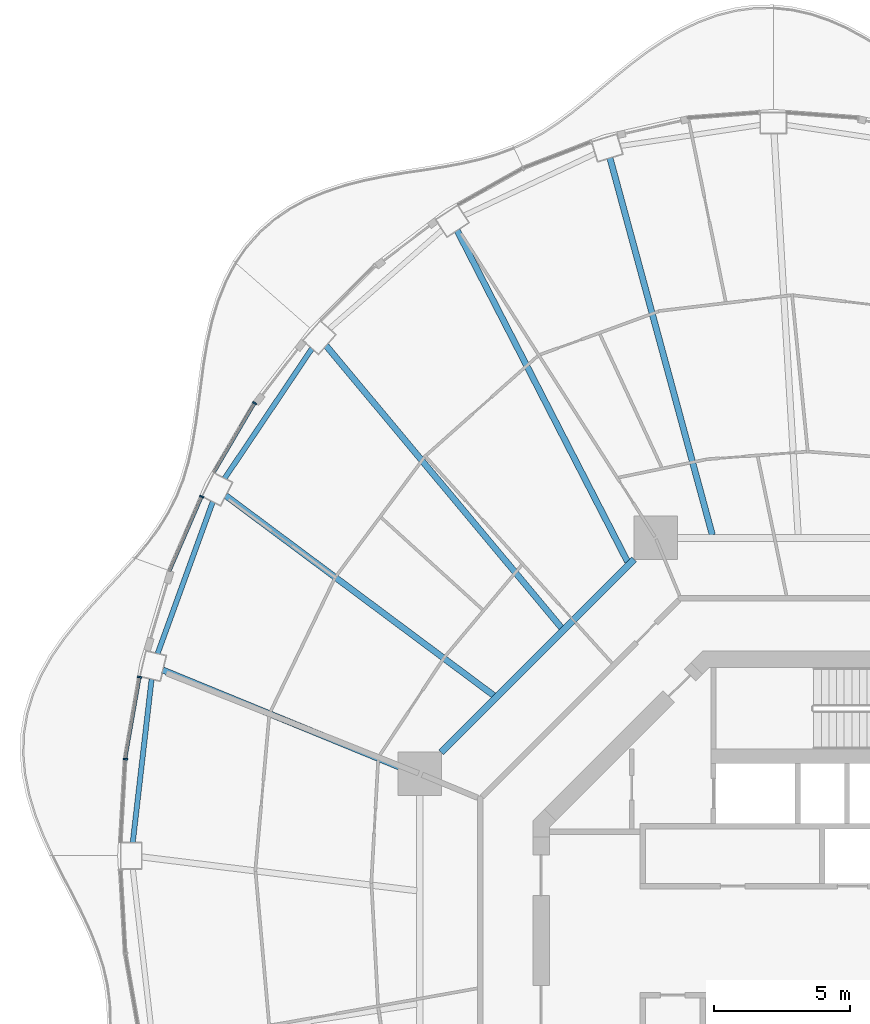
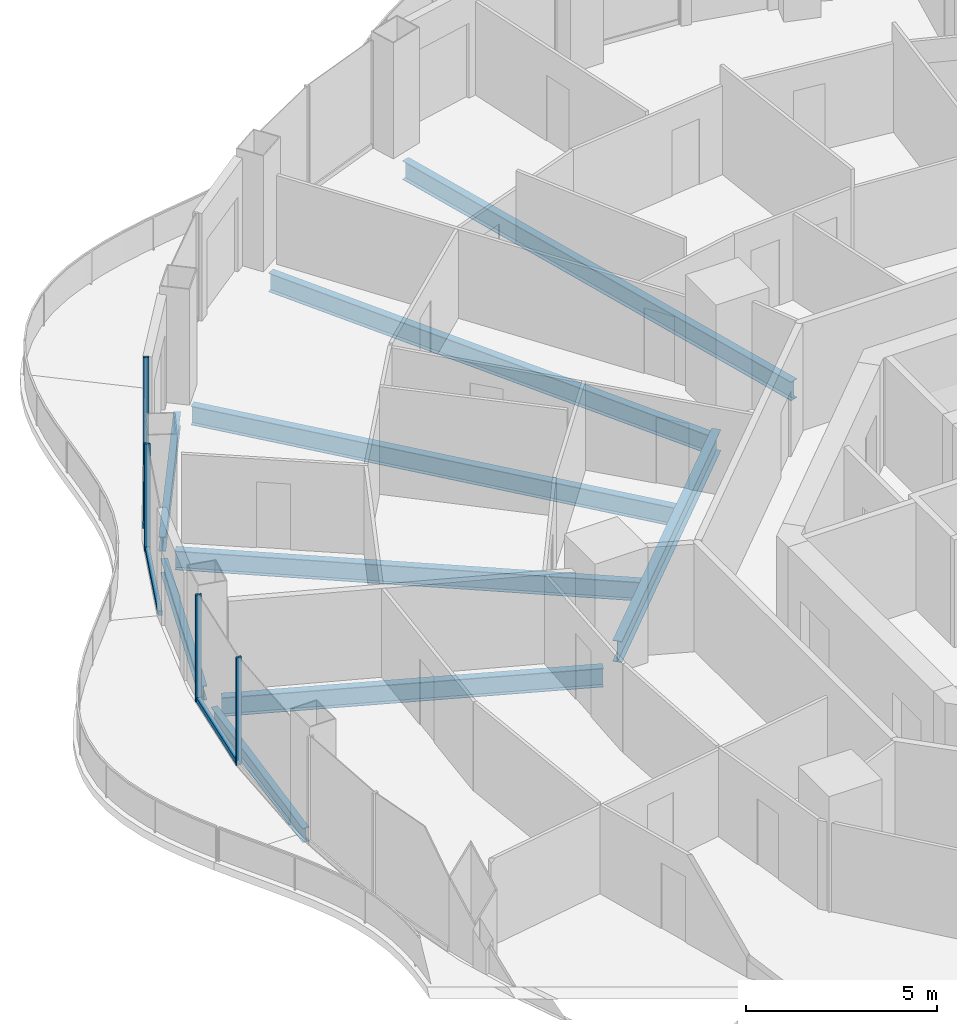
# One storey, part 5 of 18: 9 beams, 7 members, 4 elements without a shape of their own.
"""IFC4 building model written with IfcOpenShell, lengths in metres."""

from ifc_helpers import new_model, si_unit, direction, frame, origin, origin_2d, place, context, subcontext, project, spatial, rectangle, i_section, extrude, material, layer, layer_set, material_profile, profile_set, type_object, element, aggregate, save


model = new_model("IFC4")

# Units and contexts
model_context = context("Model", 3, precision=1e-05, world=origin(), true_north=direction((0.0, 1.0)))
body_context = subcontext(model_context, "Body", "Model", "MODEL_VIEW")
ifc_project = project(units=[si_unit("LENGTHUNIT", "METRE"), si_unit("AREAUNIT", "SQUARE_METRE"), si_unit("VOLUMEUNIT", "CUBIC_METRE"), si_unit("PLANEANGLEUNIT", "RADIAN"), si_unit("MASSUNIT", "GRAM", prefix="KILO")], contexts=[model_context])

# Site, building, storey
site_placement = place(None, origin())
site = spatial("IfcSite", under=ifc_project, at=site_placement, CompositionType="ELEMENT")
building_placement = place(site_placement, origin())
building = spatial("IfcBuilding", under=site, at=building_placement, Name="Nagisa Residences", CompositionType="ELEMENT")
storey_placement = place(building_placement, frame((0.0, 0.0, 234.39990234375)))
storey = spatial("IfcBuildingStorey", under=building, at=storey_placement, Name="L59", CompositionType="ELEMENT", Elevation=234.39990234375)

# Curtain wall, member
ifc_material_1 = material(Name="Concrete-coloured aluminium curtain wall system", Category="concrete")
ifc_layer = layer(ifc_material_1, 0.159912109375)
ifc_layer_set = layer_set([ifc_layer], Name="CW1 CURTAIN WALL")
curtain_wall_type = type_object("IfcCurtainWallType", Name="CW1 CURTAIN WALL", PredefinedType="NOTDEFINED", material=ifc_layer_set)
curtain_wall_1_placement = place(storey_placement, origin())
curtain_wall_1 = element("IfcCurtainWall", 1, at=curtain_wall_1_placement, inside=storey, type_object=curtain_wall_type, Name="cw:CW1:L59:19", PredefinedType="NOTDEFINED")
ifc_material_2 = material(Name="Concrete-coloured aluminium", Category="concrete")
ifc_material_profile_1 = material_profile(ifc_material_2, rectangle(XDim=0.159912109375, YDim=0.06005859375, at=origin_2d()), Name="CW1 MULLION 160x60")
ifc_profile_set_1 = profile_set([ifc_material_profile_1], Name="Concrete-coloured aluminium")
member_type_1 = type_object("IfcMemberType", Name="CW1 MULLION 160x60", PredefinedType="MULLION", material=ifc_profile_set_1)
member_1_placement = place(storey_placement, frame((-20.84228515625, 19.725341796875, 0.0), z_axis=(0.0, 0.0, 1.0), x_axis=(0.862328898214, -0.506348567002, 0.0)))
member_1 = element("IfcMember", 2, at=member_1_placement, type_object=member_type_1, Name="CW1 mullion", PredefinedType="MULLION", context=body_context, shape_type="SweptSolid", body=[
    extrude(rectangle(XDim=0.159912109375, YDim=0.06005859375, at=origin_2d()), origin(), (0.0, 0.0, 1.0), 3.440185546875),
])

curtain_wall_2_placement = place(storey_placement, origin())
curtain_wall_2 = element("IfcCurtainWall", 3, at=curtain_wall_2_placement, inside=storey, type_object=curtain_wall_type, Name="cw:CW1:L59:20", PredefinedType="NOTDEFINED")
member_2_placement = place(storey_placement, frame((-22.782470703125, 16.294677734375, 0.0), z_axis=(0.0, 0.0, 1.0), x_axis=(0.917543276295, -0.397635934147, 0.0)))
member_2 = element("IfcMember", 4, at=member_2_placement, type_object=member_type_1, Name="CW1 mullion", PredefinedType="MULLION", context=body_context, shape_type="SweptSolid", body=[
    extrude(rectangle(XDim=0.159912109375, YDim=0.06005859375, at=origin_2d()), origin(), (0.0, 0.0, 1.0), 3.440185546875),
])

curtain_wall_3_placement = place(storey_placement, origin())
curtain_wall_3 = element("IfcCurtainWall", 5, at=curtain_wall_3_placement, inside=storey, type_object=curtain_wall_type, Name="cw:CW1:L59:22", PredefinedType="NOTDEFINED")
member_3_placement = place(storey_placement, frame((-25.062255859375, 9.6708984375, 0.0), z_axis=(0.0, 0.0, 1.0), x_axis=(0.985063604377, -0.172190868898, 0.0)))
member_3 = element("IfcMember", 6, at=member_3_placement, type_object=member_type_1, Name="CW1 mullion", PredefinedType="MULLION", context=body_context, shape_type="SweptSolid", body=[
    extrude(rectangle(XDim=0.159912109375, YDim=0.06005859375, at=origin_2d()), origin(), (0.0, 0.0, 1.0), 3.440185546875),
])

curtain_wall_4_placement = place(storey_placement, origin())
curtain_wall_4 = element("IfcCurtainWall", 7, at=curtain_wall_4_placement, inside=storey, type_object=curtain_wall_type, Name="cw:CW1:L59:23", PredefinedType="NOTDEFINED")
member_4_placement = place(storey_placement, frame((-25.5859375, 6.658203125, 0.0), z_axis=(0.0, 0.0, 1.0), x_axis=(0.998345305184, -0.057503492216, 0.0)))
member_4 = element("IfcMember", 8, at=member_4_placement, type_object=member_type_1, Name="CW1 mullion", PredefinedType="MULLION", context=body_context, shape_type="SweptSolid", body=[
    extrude(rectangle(XDim=0.159912109375, YDim=0.06005859375, at=origin_2d()), origin(), (0.0, 0.0, 1.0), 3.440185546875),
])
aggregate(curtain_wall_4, [member_4])

# Member
ifc_material_3 = material(Name="Concrete-coloured aluminium", Category="concrete")
ifc_material_profile_2 = material_profile(ifc_material_3, rectangle(XDim=0.1201171875, YDim=0.14990234375, at=origin_2d()), Name="CW1 TRANSOM 120x150")
ifc_profile_set_2 = profile_set([ifc_material_profile_2], Name="Concrete-coloured aluminium")
member_type_2 = type_object("IfcMemberType", Name="CW1 TRANSOM 120x150", PredefinedType="USERDEFINED", material=ifc_profile_set_2)
member_5_placement = place(storey_placement, frame((-20.8271484375, 19.751220703125, 0.0751953125), z_axis=(-0.506294090973, -0.862360883532, 0.0), x_axis=(0.862360883532, -0.506294090973, 0.0)))
member_5 = element("IfcMember", 9, at=member_5_placement, type_object=member_type_2, Name="CW1 transom", ObjectType="TRANSOM", PredefinedType="USERDEFINED", context=body_context, shape_type="SweptSolid", body=[
    extrude(rectangle(XDim=0.1201171875, YDim=0.14990234375, at=origin_2d()), origin(), (0.0, 0.0, 1.0), 2.95458984375),
])

aggregate(curtain_wall_1, [member_1, member_5])

member_6_placement = place(storey_placement, frame((-22.770751953125, 16.322021484375, 0.0751953125), z_axis=(-0.397616567135, -0.917551669139, 0.0), x_axis=(0.917551669139, -0.397616567135, 0.0)))
member_6 = element("IfcMember", 10, at=member_6_placement, type_object=member_type_2, Name="CW1 transom", ObjectType="TRANSOM", PredefinedType="USERDEFINED", context=body_context, shape_type="SweptSolid", body=[
    extrude(rectangle(XDim=0.1201171875, YDim=0.14990234375, at=origin_2d()), origin(), (0.0, 0.0, 1.0), 3.001953125),
])

aggregate(curtain_wall_2, [member_2, member_6])

member_7_placement = place(storey_placement, frame((-25.05712890625, 9.700439453125, 0.0751953125), z_axis=(-0.172164083933, -0.985068286061, 0.0), x_axis=(0.985068286061, -0.172164083933, 0.0)))
member_7 = element("IfcMember", 11, at=member_7_placement, type_object=member_type_2, Name="CW1 transom", ObjectType="TRANSOM", PredefinedType="USERDEFINED", context=body_context, shape_type="SweptSolid", body=[
    extrude(rectangle(XDim=0.1201171875, YDim=0.14990234375, at=origin_2d()), origin(), (0.0, 0.0, 1.0), 3.0673828125),
])

aggregate(curtain_wall_3, [member_3, member_7])

# Beams
ifc_material_4 = material(Name="Steel ASTM A572 Gr 50", Category="steel")
ifc_material_profile_3 = material_profile(ifc_material_4, i_section(OverallWidth=0.2529296875, OverallDepth=0.677978515625, WebThickness=0.01171875, FlangeThickness=0.016357421875, at=origin_2d()), Name="W690x125")
ifc_profile_set_3 = profile_set([ifc_material_profile_3], Name="Steel ASTM A572 Gr 50")
beam_type_1 = type_object("IfcBeamType", Name="Inner ring beam W690x125", PredefinedType="BEAM", material=ifc_profile_set_3)
beam_1_placement = place(storey_placement, frame((-6.90869140625, 13.99609375, -0.598876953125), z_axis=(-0.707106781187, -0.707106781187, 0.0), x_axis=(0.707106781187, -0.707106781187, 0.0)))
element("IfcBeam", 12, at=beam_1_placement, inside=storey, type_object=beam_type_1, Name="beam:L59:ib3", PredefinedType="BEAM", context=body_context, shape_type="SweptSolid", body=[
    extrude(i_section(OverallWidth=0.2529296875, OverallDepth=0.677978515625, WebThickness=0.01171875, FlangeThickness=0.016357421875, at=origin_2d()), origin(), (0.0, 0.0, 1.0), 10.023193359375),
])
ifc_material_5 = material(Name="Steel ASTM A572 Gr 50", Category="steel")
ifc_material_profile_4 = material_profile(ifc_material_5, i_section(OverallWidth=0.18994140625, OverallDepth=0.45703125, WebThickness=0.009033203125, FlangeThickness=0.014404296875, at=origin_2d()), Name="W460x74")
ifc_profile_set_4 = profile_set([ifc_material_profile_4], Name="Steel ASTM A572 Gr 50")
beam_type_2 = type_object("IfcBeamType", Name="Perimeter ring beam W460x74", PredefinedType="BEAM", material=ifc_profile_set_4)
beam_2_placement = place(storey_placement, frame((-18.73681640625, 21.72998046875, -0.48828125), z_axis=(-0.558079852096, -0.829787249049, 0.0), x_axis=(0.829787249049, -0.558079852096, 0.0)))
element("IfcBeam", 13, at=beam_2_placement, inside=storey, type_object=beam_type_2, Name="beam:L59:pb10", PredefinedType="BEAM", context=body_context, shape_type="SweptSolid", body=[
    extrude(i_section(OverallWidth=0.18994140625, OverallDepth=0.45703125, WebThickness=0.009033203125, FlangeThickness=0.014404296875, at=origin_2d()), origin(), (0.0, 0.0, 1.0), 5.743408203125),
])
beam_3_placement = place(storey_placement, frame((-22.377197265625, 16.108154296875, -0.48828125), z_axis=(-0.34127712749, -0.939962723863, 0.0), x_axis=(0.939962723863, -0.34127712749, 0.0)))
element("IfcBeam", 14, at=beam_3_placement, inside=storey, type_object=beam_type_2, Name="beam:L59:pb11", PredefinedType="BEAM", context=body_context, shape_type="SweptSolid", body=[
    extrude(i_section(OverallWidth=0.18994140625, OverallDepth=0.45703125, WebThickness=0.009033203125, FlangeThickness=0.014404296875, at=origin_2d()), origin(), (0.0, 0.0, 1.0), 5.9326171875),
])
beam_4_placement = place(storey_placement, frame((-24.622314453125, 9.59716796875, -0.48828125), z_axis=(-0.114650193512, -0.993405925656, 0.0), x_axis=(0.993405925656, -0.114650193512, 0.0)))
element("IfcBeam", 15, at=beam_4_placement, inside=storey, type_object=beam_type_2, Name="beam:L59:pb12", PredefinedType="BEAM", context=body_context, shape_type="SweptSolid", body=[
    extrude(i_section(OverallWidth=0.18994140625, OverallDepth=0.45703125, WebThickness=0.009033203125, FlangeThickness=0.014404296875, at=origin_2d()), origin(), (0.0, 0.0, 1.0), 6.0390625),
])
ifc_material_6 = material(Name="Steel ASTM A572 Gr 50", Category="steel")
ifc_material_profile_5 = material_profile(ifc_material_6, i_section(OverallWidth=0.22802734375, OverallDepth=0.60302734375, WebThickness=0.010498046875, FlangeThickness=0.014892578125, at=origin_2d()), Name="W610x101")
ifc_profile_set_5 = profile_set([ifc_material_profile_5], Name="Steel ASTM A572 Gr 50")
beam_type_3 = type_object("IfcBeamType", Name="Radial beam W610x101", PredefinedType="BEAM", material=ifc_profile_set_5)
beam_5_placement = place(storey_placement, frame((-7.80078125, 28.724609375, -0.5615234375), z_axis=(0.26207978084, -0.965046210539, 0.0), x_axis=(0.965046210539, 0.26207978084, 0.0)))
element("IfcBeam", 16, at=beam_5_placement, inside=storey, type_object=beam_type_3, Name="beam:L59:rb08", PredefinedType="BEAM", context=body_context, shape_type="SweptSolid", body=[
    extrude(i_section(OverallWidth=0.22802734375, OverallDepth=0.60302734375, WebThickness=0.010498046875, FlangeThickness=0.014892578125, at=origin_2d()), origin(), (0.0, 0.0, 1.0), 14.336669921875),
])
beam_6_placement = place(storey_placement, frame((-13.41015625, 26.065185546875, -0.5615234375), z_axis=(0.457487565814, -0.889216018257, 0.0), x_axis=(0.889216018257, 0.457487565814, 0.0)))
element("IfcBeam", 17, at=beam_6_placement, inside=storey, type_object=beam_type_3, Name="beam:L59:rb09", PredefinedType="BEAM", context=body_context, shape_type="SweptSolid", body=[
    extrude(i_section(OverallWidth=0.22802734375, OverallDepth=0.60302734375, WebThickness=0.010498046875, FlangeThickness=0.014892578125, at=origin_2d()), origin(), (0.0, 0.0, 1.0), 13.676513671875),
])
beam_7_placement = place(storey_placement, frame((-18.219970703125, 21.83642578125, -0.5615234375), z_axis=(0.64065600401, -0.767828030568, 0.0), x_axis=(0.767828030568, 0.64065600401, 0.0)))
element("IfcBeam", 18, at=beam_7_placement, inside=storey, type_object=beam_type_3, Name="beam:L59:rb10", PredefinedType="BEAM", context=body_context, shape_type="SweptSolid", body=[
    extrude(i_section(OverallWidth=0.22802734375, OverallDepth=0.60302734375, WebThickness=0.010498046875, FlangeThickness=0.014892578125, at=origin_2d()), origin(), (0.0, 0.0, 1.0), 13.490234375),
])
beam_8_placement = place(storey_placement, frame((-21.90283203125, 16.33203125, -0.5615234375), z_axis=(0.801674643351, -0.597760626177, 0.0), x_axis=(0.597760626177, 0.801674643351, 0.0)))
element("IfcBeam", 19, at=beam_8_placement, inside=storey, type_object=beam_type_3, Name="beam:L59:rb11", PredefinedType="BEAM", context=body_context, shape_type="SweptSolid", body=[
    extrude(i_section(OverallWidth=0.22802734375, OverallDepth=0.60302734375, WebThickness=0.010498046875, FlangeThickness=0.014892578125, at=origin_2d()), origin(), (0.0, 0.0, 1.0), 12.275634765625),
])
beam_9_placement = place(storey_placement, frame((-24.210693359375, 9.93115234375, -0.5615234375), z_axis=(0.925188691773, -0.379507423663, 0.0), x_axis=(0.379507423663, 0.925188691773, 0.0)))
element("IfcBeam", 20, at=beam_9_placement, inside=storey, type_object=beam_type_3, Name="beam:L59:rb12", PredefinedType="BEAM", context=body_context, shape_type="SweptSolid", body=[
    extrude(i_section(OverallWidth=0.22802734375, OverallDepth=0.60302734375, WebThickness=0.010498046875, FlangeThickness=0.014892578125, at=origin_2d()), origin(), (0.0, 0.0, 1.0), 10.07421875),
])

save(model, "model.ifc")
